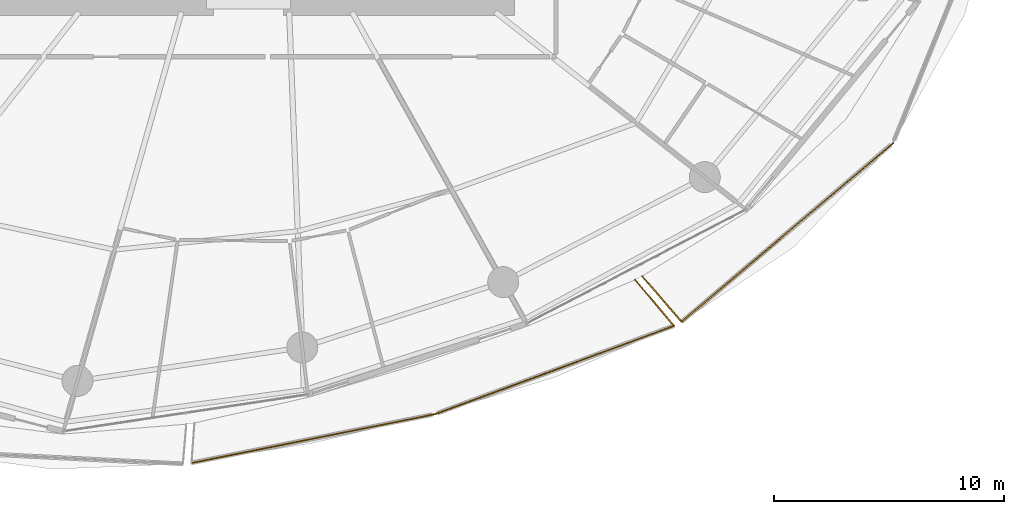
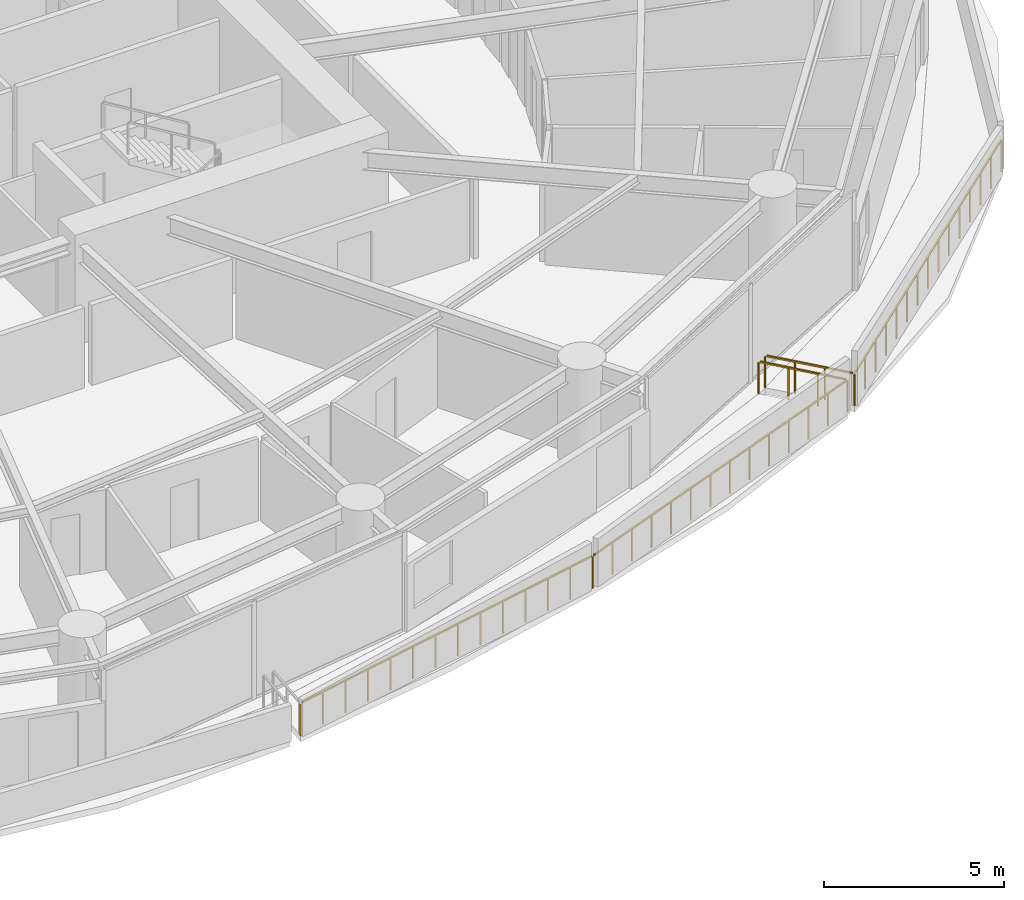
# One storey, part 27 of 31: 5 railings.
"""IFC4 building model written with IfcOpenShell, lengths in metres."""

from ifc_helpers import new_model, si_unit, direction, frame, origin, origin_2d, place, context, subcontext, project, spatial, rectangle, extrude, material, type_object, element, save


model = new_model("IFC4")

# Units and contexts
model_context = context("Model", 3, precision=1e-05, world=origin(), true_north=direction((0.0, 1.0)))
body_context = subcontext(model_context, "Body", "Model", "MODEL_VIEW")
ifc_project = project(units=[si_unit("LENGTHUNIT", "METRE"), si_unit("AREAUNIT", "SQUARE_METRE"), si_unit("VOLUMEUNIT", "CUBIC_METRE"), si_unit("PLANEANGLEUNIT", "RADIAN"), si_unit("MASSUNIT", "GRAM", prefix="KILO")], contexts=[model_context])

# Site, building, storey
site_placement = place(None, origin())
site = spatial("IfcSite", under=ifc_project, at=site_placement, CompositionType="ELEMENT")
building_placement = place(site_placement, origin())
building = spatial("IfcBuilding", under=site, at=building_placement, Name="Kazma Halo Residences", CompositionType="ELEMENT")
storey_placement = place(building_placement, frame((0.0, 0.0, 67.64990234375)))
storey = spatial("IfcBuildingStorey", under=building, at=storey_placement, Name="L16", CompositionType="ELEMENT", Elevation=67.64990234375)

# Railings
ifc_material = material(Name="Aluminium AW-6063 T6 Brushed Cap Rail", Category="aluminium")
railing_type = type_object("IfcRailingType", Name="RLG-BAL-CAP-1120", PredefinedType="BALUSTRADE", material=ifc_material)
railing_1_placement = place(storey_placement, frame((45.93798828125, 13.580078125, 0.0)))
element("IfcRailing", 1, at=railing_1_placement, inside=storey, type_object=railing_type, Name="L16 SSE wave balcony guard 2", PredefinedType="BALUSTRADE", context=body_context, shape_type="SweptSolid", body=[
    extrude(rectangle(XDim=0.050048828125, YDim=0.050048828125, at=origin_2d()), frame((0.041748046875, 0.00830078125, 1.09521484375), z_axis=(0.980530292634, 0.19636788237, 0.0), x_axis=(-0.19636788237, 0.980530292634, 0.0)), (0.0, 0.0, 1.0), 10.7314453125),
    extrude(rectangle(XDim=0.0400390625, YDim=0.0400390625, at=origin_2d()), origin(), (0.0, 0.0, 1.0), 1.05810546875),
    extrude(rectangle(XDim=0.0400390625, YDim=0.0400390625, at=origin_2d()), frame((0.81591796875, 0.163330078125, 0.0)), (0.0, 0.0, 1.0), 1.05810546875),
    extrude(rectangle(XDim=0.0400390625, YDim=0.0400390625, at=origin_2d()), frame((1.631591796875, 0.32666015625, 0.0)), (0.0, 0.0, 1.0), 1.05810546875),
    extrude(rectangle(XDim=0.0400390625, YDim=0.0400390625, at=origin_2d()), frame((2.447509765625, 0.490234375, 0.0)), (0.0, 0.0, 1.0), 1.05810546875),
    extrude(rectangle(XDim=0.0400390625, YDim=0.0400390625, at=origin_2d()), frame((3.263427734375, 0.653564453125, 0.0)), (0.0, 0.0, 1.0), 1.05810546875),
    extrude(rectangle(XDim=0.0400390625, YDim=0.0400390625, at=origin_2d()), frame((4.0791015625, 0.81689453125, 0.0)), (0.0, 0.0, 1.0), 1.05810546875),
    extrude(rectangle(XDim=0.0400390625, YDim=0.0400390625, at=origin_2d()), frame((4.89501953125, 0.980224609375, 0.0)), (0.0, 0.0, 1.0), 1.05810546875),
    extrude(rectangle(XDim=0.0400390625, YDim=0.0400390625, at=origin_2d()), frame((5.7109375, 1.143798828125, 0.0)), (0.0, 0.0, 1.0), 1.05810546875),
    extrude(rectangle(XDim=0.0400390625, YDim=0.0400390625, at=origin_2d()), frame((6.52685546875, 1.30712890625, 0.0)), (0.0, 0.0, 1.0), 1.05810546875),
    extrude(rectangle(XDim=0.0400390625, YDim=0.0400390625, at=origin_2d()), frame((7.342529296875, 1.470458984375, 0.0)), (0.0, 0.0, 1.0), 1.05810546875),
    extrude(rectangle(XDim=0.0400390625, YDim=0.0400390625, at=origin_2d()), frame((8.158447265625, 1.6337890625, 0.0)), (0.0, 0.0, 1.0), 1.05810546875),
    extrude(rectangle(XDim=0.0400390625, YDim=0.0400390625, at=origin_2d()), frame((8.974365234375, 1.79736328125, 0.0)), (0.0, 0.0, 1.0), 1.05810546875),
    extrude(rectangle(XDim=0.0400390625, YDim=0.0400390625, at=origin_2d()), frame((9.7900390625, 1.960693359375, 0.0)), (0.0, 0.0, 1.0), 1.05810546875),
    extrude(rectangle(XDim=0.0400390625, YDim=0.0400390625, at=origin_2d()), frame((10.60595703125, 2.1240234375, 0.0)), (0.0, 0.0, 1.0), 1.05810546875),
])
railing_2_placement = place(storey_placement, frame((56.5439453125, 15.7041015625, 0.0)))
element("IfcRailing", 2, at=railing_2_placement, inside=storey, type_object=railing_type, Name="L16 SSE wave balcony guard 3", PredefinedType="BALUSTRADE", context=body_context, shape_type="SweptSolid", body=[
    extrude(rectangle(XDim=0.050048828125, YDim=0.050048828125, at=origin_2d()), frame((0.039794921875, 0.0146484375, 1.09521484375), z_axis=(0.937999325113, 0.346637081237, 0.0), x_axis=(-0.346637081237, 0.937999325113, 0.0)), (0.0, 0.0, 1.0), 10.999267578125),
    extrude(rectangle(XDim=0.0400390625, YDim=0.0400390625, at=origin_2d()), origin(), (0.0, 0.0, 1.0), 1.05810546875),
    extrude(rectangle(XDim=0.0400390625, YDim=0.0400390625, at=origin_2d()), frame((0.7998046875, 0.295654296875, 0.0)), (0.0, 0.0, 1.0), 1.05810546875),
    extrude(rectangle(XDim=0.0400390625, YDim=0.0400390625, at=origin_2d()), frame((1.599609375, 0.591064453125, 0.0)), (0.0, 0.0, 1.0), 1.05810546875),
    extrude(rectangle(XDim=0.0400390625, YDim=0.0400390625, at=origin_2d()), frame((2.3994140625, 0.88671875, 0.0)), (0.0, 0.0, 1.0), 1.05810546875),
    extrude(rectangle(XDim=0.0400390625, YDim=0.0400390625, at=origin_2d()), frame((3.19921875, 1.18212890625, 0.0)), (0.0, 0.0, 1.0), 1.05810546875),
    extrude(rectangle(XDim=0.0400390625, YDim=0.0400390625, at=origin_2d()), frame((3.9990234375, 1.477783203125, 0.0)), (0.0, 0.0, 1.0), 1.05810546875),
    extrude(rectangle(XDim=0.0400390625, YDim=0.0400390625, at=origin_2d()), frame((4.798828125, 1.7734375, 0.0)), (0.0, 0.0, 1.0), 1.05810546875),
    extrude(rectangle(XDim=0.0400390625, YDim=0.0400390625, at=origin_2d()), frame((5.598388671875, 2.06884765625, 0.0)), (0.0, 0.0, 1.0), 1.05810546875),
    extrude(rectangle(XDim=0.0400390625, YDim=0.0400390625, at=origin_2d()), frame((6.398193359375, 2.364501953125, 0.0)), (0.0, 0.0, 1.0), 1.05810546875),
    extrude(rectangle(XDim=0.0400390625, YDim=0.0400390625, at=origin_2d()), frame((7.197998046875, 2.66015625, 0.0)), (0.0, 0.0, 1.0), 1.05810546875),
    extrude(rectangle(XDim=0.0400390625, YDim=0.0400390625, at=origin_2d()), frame((7.997802734375, 2.95556640625, 0.0)), (0.0, 0.0, 1.0), 1.05810546875),
    extrude(rectangle(XDim=0.0400390625, YDim=0.0400390625, at=origin_2d()), frame((8.797607421875, 3.251220703125, 0.0)), (0.0, 0.0, 1.0), 1.05810546875),
    extrude(rectangle(XDim=0.0400390625, YDim=0.0400390625, at=origin_2d()), frame((9.597412109375, 3.546630859375, 0.0)), (0.0, 0.0, 1.0), 1.05810546875),
    extrude(rectangle(XDim=0.0400390625, YDim=0.0400390625, at=origin_2d()), frame((10.397216796875, 3.84228515625, 0.0)), (0.0, 0.0, 1.0), 1.05810546875),
])
railing_3_placement = place(storey_placement, frame((66.941162109375, 19.54638671875, 0.0)))
element("IfcRailing", 3, at=railing_3_placement, inside=storey, type_object=railing_type, Name="L16 SSE wave balcony guard 4", PredefinedType="BALUSTRADE", context=body_context, shape_type="SweptSolid", body=[
    extrude(rectangle(XDim=0.050048828125, YDim=0.050048828125, at=origin_2d()), frame((-0.02734375, 0.032470703125, 1.09521484375), z_axis=(-0.64478266739, 0.764365954131, 0.0), x_axis=(-0.764365954131, -0.64478266739, 0.0)), (0.0, 0.0, 1.0), 2.54052734375),
    extrude(rectangle(XDim=0.0400390625, YDim=0.0400390625, at=origin_2d()), origin(), (0.0, 0.0, 1.0), 1.05810546875),
    extrude(rectangle(XDim=0.0400390625, YDim=0.0400390625, at=origin_2d()), frame((-0.564208984375, 0.6689453125, 0.0)), (0.0, 0.0, 1.0), 1.05810546875),
    extrude(rectangle(XDim=0.0400390625, YDim=0.0400390625, at=origin_2d()), frame((-1.128662109375, 1.337890625, 0.0)), (0.0, 0.0, 1.0), 1.05810546875),
    extrude(rectangle(XDim=0.0400390625, YDim=0.0400390625, at=origin_2d()), frame((-1.69287109375, 2.0068359375, 0.0)), (0.0, 0.0, 1.0), 1.05810546875),
])
railing_4_placement = place(storey_placement, frame((65.546142578125, 21.70849609375, 0.0)))
element("IfcRailing", 4, at=railing_4_placement, inside=storey, type_object=railing_type, Name="L16 SE wave balcony guard 1", PredefinedType="BALUSTRADE", context=body_context, shape_type="SweptSolid", body=[
    extrude(rectangle(XDim=0.050048828125, YDim=0.050048828125, at=origin_2d()), frame((0.02783203125, -0.0322265625, 1.09521484375), z_axis=(0.654071575438, -0.756432663364, 0.0), x_axis=(0.756432663364, 0.654071575438, 0.0)), (0.0, 0.0, 1.0), 2.545654296875),
    extrude(rectangle(XDim=0.0400390625, YDim=0.0400390625, at=origin_2d()), origin(), (0.0, 0.0, 1.0), 1.05810546875),
    extrude(rectangle(XDim=0.0400390625, YDim=0.0400390625, at=origin_2d()), frame((0.573486328125, -0.663330078125, 0.0)), (0.0, 0.0, 1.0), 1.05810546875),
    extrude(rectangle(XDim=0.0400390625, YDim=0.0400390625, at=origin_2d()), frame((1.147216796875, -1.32666015625, 0.0)), (0.0, 0.0, 1.0), 1.05810546875),
    extrude(rectangle(XDim=0.0400390625, YDim=0.0400390625, at=origin_2d()), frame((1.720703125, -1.989990234375, 0.0)), (0.0, 0.0, 1.0), 1.05810546875),
])
railing_5_placement = place(storey_placement, frame((67.266845703125, 19.718505859375, 0.0)))
element("IfcRailing", 5, at=railing_5_placement, inside=storey, type_object=railing_type, Name="L16 SE wave balcony guard 2", PredefinedType="BALUSTRADE", context=body_context, shape_type="SweptSolid", body=[
    extrude(rectangle(XDim=0.050048828125, YDim=0.050048828125, at=origin_2d()), frame((0.032470703125, 0.02734375, 1.09521484375), z_axis=(0.76369214985, 0.645580591605, 0.0), x_axis=(-0.645580591605, 0.76369214985, 0.0)), (0.0, 0.0, 1.0), 11.961669921875),
    extrude(rectangle(XDim=0.0400390625, YDim=0.0400390625, at=origin_2d()), origin(), (0.0, 0.0, 1.0), 1.05810546875),
    extrude(rectangle(XDim=0.0400390625, YDim=0.0400390625, at=origin_2d()), frame((0.6572265625, 0.555419921875, 0.0)), (0.0, 0.0, 1.0), 1.05810546875),
    extrude(rectangle(XDim=0.0400390625, YDim=0.0400390625, at=origin_2d()), frame((1.314208984375, 1.111083984375, 0.0)), (0.0, 0.0, 1.0), 1.05810546875),
    extrude(rectangle(XDim=0.0400390625, YDim=0.0400390625, at=origin_2d()), frame((1.971435546875, 1.66650390625, 0.0)), (0.0, 0.0, 1.0), 1.05810546875),
    extrude(rectangle(XDim=0.0400390625, YDim=0.0400390625, at=origin_2d()), frame((2.628662109375, 2.221923828125, 0.0)), (0.0, 0.0, 1.0), 1.05810546875),
    extrude(rectangle(XDim=0.0400390625, YDim=0.0400390625, at=origin_2d()), frame((3.28564453125, 2.777587890625, 0.0)), (0.0, 0.0, 1.0), 1.05810546875),
    extrude(rectangle(XDim=0.0400390625, YDim=0.0400390625, at=origin_2d()), frame((3.94287109375, 3.3330078125, 0.0)), (0.0, 0.0, 1.0), 1.05810546875),
    extrude(rectangle(XDim=0.0400390625, YDim=0.0400390625, at=origin_2d()), frame((4.60009765625, 3.888671875, 0.0)), (0.0, 0.0, 1.0), 1.05810546875),
    extrude(rectangle(XDim=0.0400390625, YDim=0.0400390625, at=origin_2d()), frame((5.257080078125, 4.444091796875, 0.0)), (0.0, 0.0, 1.0), 1.05810546875),
    extrude(rectangle(XDim=0.0400390625, YDim=0.0400390625, at=origin_2d()), frame((5.914306640625, 4.99951171875, 0.0)), (0.0, 0.0, 1.0), 1.05810546875),
    extrude(rectangle(XDim=0.0400390625, YDim=0.0400390625, at=origin_2d()), frame((6.5712890625, 5.55517578125, 0.0)), (0.0, 0.0, 1.0), 1.05810546875),
    extrude(rectangle(XDim=0.0400390625, YDim=0.0400390625, at=origin_2d()), frame((7.228515625, 6.110595703125, 0.0)), (0.0, 0.0, 1.0), 1.05810546875),
    extrude(rectangle(XDim=0.0400390625, YDim=0.0400390625, at=origin_2d()), frame((7.8857421875, 6.666015625, 0.0)), (0.0, 0.0, 1.0), 1.05810546875),
    extrude(rectangle(XDim=0.0400390625, YDim=0.0400390625, at=origin_2d()), frame((8.542724609375, 7.2216796875, 0.0)), (0.0, 0.0, 1.0), 1.05810546875),
    extrude(rectangle(XDim=0.0400390625, YDim=0.0400390625, at=origin_2d()), frame((9.199951171875, 7.777099609375, 0.0)), (0.0, 0.0, 1.0), 1.05810546875),
])

save(model, "model.ifc")
